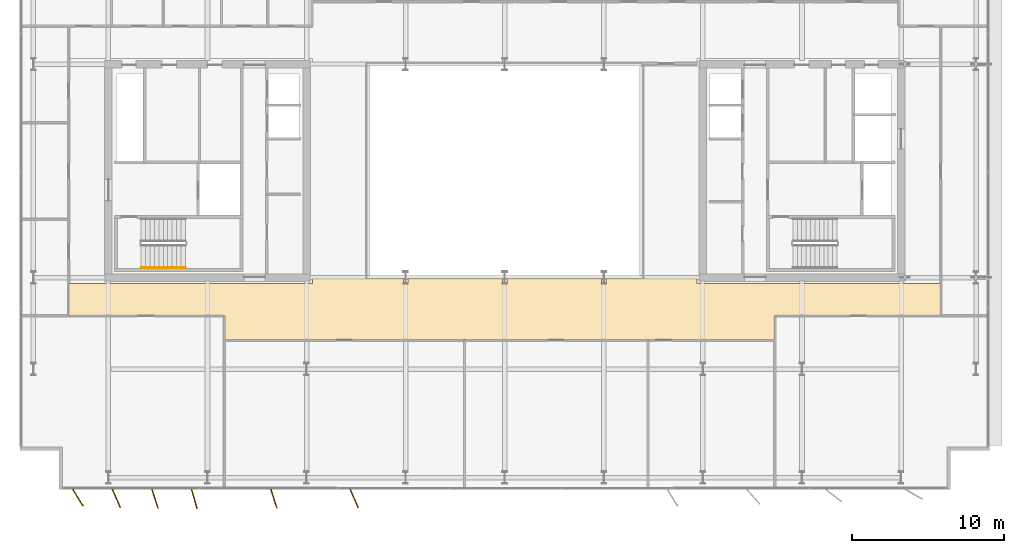
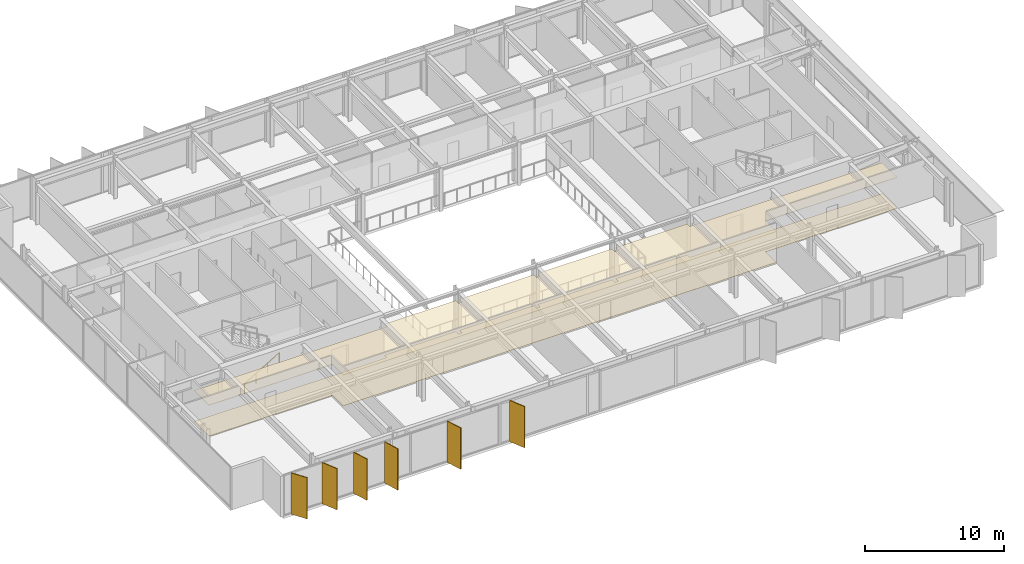
# One storey, part 15 of 19: 6 shading devices, 2 coverings, 1 railing.
"""IFC4 building model written with IfcOpenShell, lengths in metres."""

from ifc_helpers import new_model, si_unit, direction, frame, origin, origin_2d, place, context, subcontext, project, spatial, polyline, rectangle, circle, outline, extrude, material, layer, layer_set, type_object, element, save


model = new_model("IFC4")

# Units and contexts
model_context = context("Model", 3, precision=1e-05, world=origin(), true_north=direction((0.0, 1.0)))
body_context = subcontext(model_context, "Body", "Model", "MODEL_VIEW")
ifc_project = project(units=[si_unit("LENGTHUNIT", "METRE"), si_unit("AREAUNIT", "SQUARE_METRE"), si_unit("VOLUMEUNIT", "CUBIC_METRE"), si_unit("PLANEANGLEUNIT", "RADIAN"), si_unit("MASSUNIT", "GRAM", prefix="KILO")], contexts=[model_context])

# Site, building, storey
site_placement = place(None, origin())
site = spatial("IfcSite", under=ifc_project, at=site_placement, CompositionType="ELEMENT")
building_placement = place(site_placement, origin())
building = spatial("IfcBuilding", under=site, at=building_placement, Name="Putna Gate Headquarters", CompositionType="ELEMENT")
storey_placement = place(building_placement, frame((0.0, 0.0, 255.60009765625)))
storey = spatial("IfcBuildingStorey", under=building, at=storey_placement, Name="L64", CompositionType="ELEMENT", Elevation=255.60009765625)

# Coverings
ifc_material_1 = material(Name="Perforated mineral-fibre acoustic ceiling tile")
ifc_layer_1 = layer(ifc_material_1, 0.0400390625)
ifc_layer_set_1 = layer_set([ifc_layer_1], Name="Perforated mineral-fibre acoustic ceiling tile")
covering_type_1 = type_object("IfcCoveringType", Name="COV-ACOUSTIC-CEILING", PredefinedType="CEILING", material=ifc_layer_set_1)
covering_1_placement = place(storey_placement, frame((0.0, 0.0, 2.7099609375)))
element("IfcCovering", 1, at=covering_1_placement, inside=storey, type_object=covering_type_1, Name="L64 Acoustic Ceiling Covering 2", PredefinedType="CEILING", context=body_context, shape_type="SweptSolid", body=[
    extrude(outline(polyline([(20.63720703125, 16.47998046875), (20.63720703125, 14.93994140625), (56.6796875, 14.93994140625), (56.6796875, 16.47998046875), (67.6201171875, 16.47998046875), (67.6201171875, 18.6201171875), (51.60009765625, 18.6201171875), (51.60009765625, 18.97998046875), (45.639892578125, 18.97998046875), (45.639892578125, 18.64111328125), (45.659423828125, 18.64111328125), (45.659423828125, 18.5849609375), (45.340576171875, 18.5849609375), (45.340576171875, 18.64111328125), (45.360107421875, 18.64111328125), (45.360107421875, 18.97998046875), (39.139892578125, 18.97998046875), (39.139892578125, 18.64111328125), (39.159423828125, 18.64111328125), (39.159423828125, 18.5849609375), (38.840576171875, 18.5849609375), (38.840576171875, 18.64111328125), (38.860107421875, 18.64111328125), (38.860107421875, 18.97998046875), (32.639892578125, 18.97998046875), (32.639892578125, 18.64111328125), (32.659423828125, 18.64111328125), (32.659423828125, 18.5849609375), (32.340576171875, 18.5849609375), (32.340576171875, 18.64111328125), (32.360107421875, 18.64111328125), (32.360107421875, 18.97998046875), (26.39990234375, 18.97998046875), (26.39990234375, 18.6201171875), (10.3798828125, 18.6201171875), (10.3798828125, 16.47998046875), (20.63720703125, 16.47998046875)])), origin(), (0.0, 0.0, 1.0), 0.0400390625),
])
ifc_material_2 = material(Name="Calcium-sulphate raised access floor finish")
ifc_layer_2 = layer(ifc_material_2, 0.030029296875)
ifc_layer_set_2 = layer_set([ifc_layer_2], Name="Calcium-sulphate raised access floor finish")
covering_type_2 = type_object("IfcCoveringType", Name="COV-RAISED-FLOORING", PredefinedType="FLOORING", material=ifc_layer_set_2)
covering_2_placement = place(storey_placement, origin())
element("IfcCovering", 2, at=covering_2_placement, inside=storey, type_object=covering_type_2, Name="L64 Raised Access Floor Covering 2", PredefinedType="FLOORING", context=body_context, shape_type="SweptSolid", body=[
    extrude(outline(polyline([(20.63720703125, 16.47998046875), (20.63720703125, 14.93994140625), (56.6796875, 14.93994140625), (56.6796875, 16.47998046875), (67.6201171875, 16.47998046875), (67.6201171875, 18.6201171875), (51.60009765625, 18.6201171875), (51.60009765625, 18.97998046875), (45.639892578125, 18.97998046875), (45.639892578125, 18.64111328125), (45.659423828125, 18.64111328125), (45.659423828125, 18.5849609375), (45.340576171875, 18.5849609375), (45.340576171875, 18.64111328125), (45.360107421875, 18.64111328125), (45.360107421875, 18.97998046875), (39.139892578125, 18.97998046875), (39.139892578125, 18.64111328125), (39.159423828125, 18.64111328125), (39.159423828125, 18.5849609375), (38.840576171875, 18.5849609375), (38.840576171875, 18.64111328125), (38.860107421875, 18.64111328125), (38.860107421875, 18.97998046875), (32.639892578125, 18.97998046875), (32.639892578125, 18.64111328125), (32.659423828125, 18.64111328125), (32.659423828125, 18.5849609375), (32.340576171875, 18.5849609375), (32.340576171875, 18.64111328125), (32.360107421875, 18.64111328125), (32.360107421875, 18.97998046875), (26.39990234375, 18.97998046875), (26.39990234375, 18.6201171875), (10.3798828125, 18.6201171875), (10.3798828125, 16.47998046875), (20.63720703125, 16.47998046875)])), origin(), (0.0, 0.0, 1.0), 0.02978515625),
])

# Railing
ifc_material_3 = material(Name="Brushed stainless steel handrail", Category="steel")
railing_type = type_object("IfcRailingType", Name="RAIL-STAIR-HAND-900", PredefinedType="HANDRAIL", material=ifc_material_3)
railing_placement = place(storey_placement, frame((15.14990234375, 19.64990234375, 0.172607421875)))
element("IfcRailing", 3, at=railing_placement, inside=storey, type_object=railing_type, Name="L64 ST1 stair handrail 1", PredefinedType="HANDRAIL", context=body_context, shape_type="SweptSolid", body=[
    extrude(circle(Radius=0.02392578125, at=origin_2d()), frame((0.0, 0.0, 0.8759765625), z_axis=(0.859160404282, 0.0, 0.51170636083), x_axis=(0.0, 1.0, 0.0)), (0.0, 0.0, 1.0), 3.37548828125),
    extrude(circle(Radius=0.02099609375, at=origin_2d()), origin(), (0.0, 0.0, 1.0), 0.851806640625),
    extrude(circle(Radius=0.02099609375, at=origin_2d()), frame((0.966796875, 0.0, 0.57568359375)), (0.0, 0.0, 1.0), 0.851806640625),
    extrude(circle(Radius=0.02099609375, at=origin_2d()), frame((1.933349609375, 0.0, 1.151611328125)), (0.0, 0.0, 1.0), 0.851806640625),
    extrude(circle(Radius=0.02099609375, at=origin_2d()), frame((2.900146484375, 0.0, 1.727294921875)), (0.0, 0.0, 1.0), 0.851806640625),
])

# Shading devices
ifc_material_4 = material(Name="Anodised architectural bronze aluminium fin", Category="aluminium")
ifc_layer_3 = layer(ifc_material_4, 0.06494140625)
ifc_layer_set_3 = layer_set([ifc_layer_3], Name="Anodised architectural bronze aluminium fin")
shading_device_type = type_object("IfcShadingDeviceType", Name="SHADE-BRONZE-FIN-1320", PredefinedType="USERDEFINED", material=ifc_layer_set_3)
for number, where, z_axis, x_axis, name in (
    (4, (11.000244140625, 4.565673828125, -0.02001953125), (0.0, 0.0, 1.0), (0.530659123936, -0.847585331506, 0.0), "L64 Bronze Vertical Shading Fin S1"),
    (5, (13.514404296875, 4.520263671875, -0.02001953125), (0.0, 0.0, 1.0), (0.400668879095, -0.916222925562, 0.0), "L64 Bronze Vertical Shading Fin S2"),
    (6, (16.0537109375, 4.497314453125, -0.02001953125), (0.0, 0.0, 1.0), (0.308684994204, -0.951164325631, 0.0), "L64 Bronze Vertical Shading Fin S3"),
    (7, (18.6318359375, 4.490478515625, -0.02001953125), (0.0, 0.0, 1.0), (0.275637355817, -0.961261695938, 0.0), "L64 Bronze Vertical Shading Fin S4"),
    (8, (23.853759765625, 4.497314453125, -0.02001953125), (0.0, 0.0, 1.0), (0.308684994204, -0.951164325631, 0.0), "L64 Bronze Vertical Shading Fin S5"),
    (9, (29.114501953125, 4.520263671875, -0.02001953125), (0.0, 0.0, 1.0), (0.400668879095, -0.916222925562, 0.0), "L64 Bronze Vertical Shading Fin S6"),
):
    element("IfcShadingDevice", number, at=place(storey_placement, frame(where, z_axis=z_axis, x_axis=x_axis)), inside=storey, type_object=shading_device_type, Name=name, ObjectType="FIN", PredefinedType="USERDEFINED", context=body_context, shape_type="SweptSolid", body=[
        extrude(rectangle(XDim=1.320068359375, YDim=0.06494140625, at=origin_2d()), origin(), (0.0, 0.0, 1.0), 3.6279296875),
    ])

save(model, "model.ifc")
